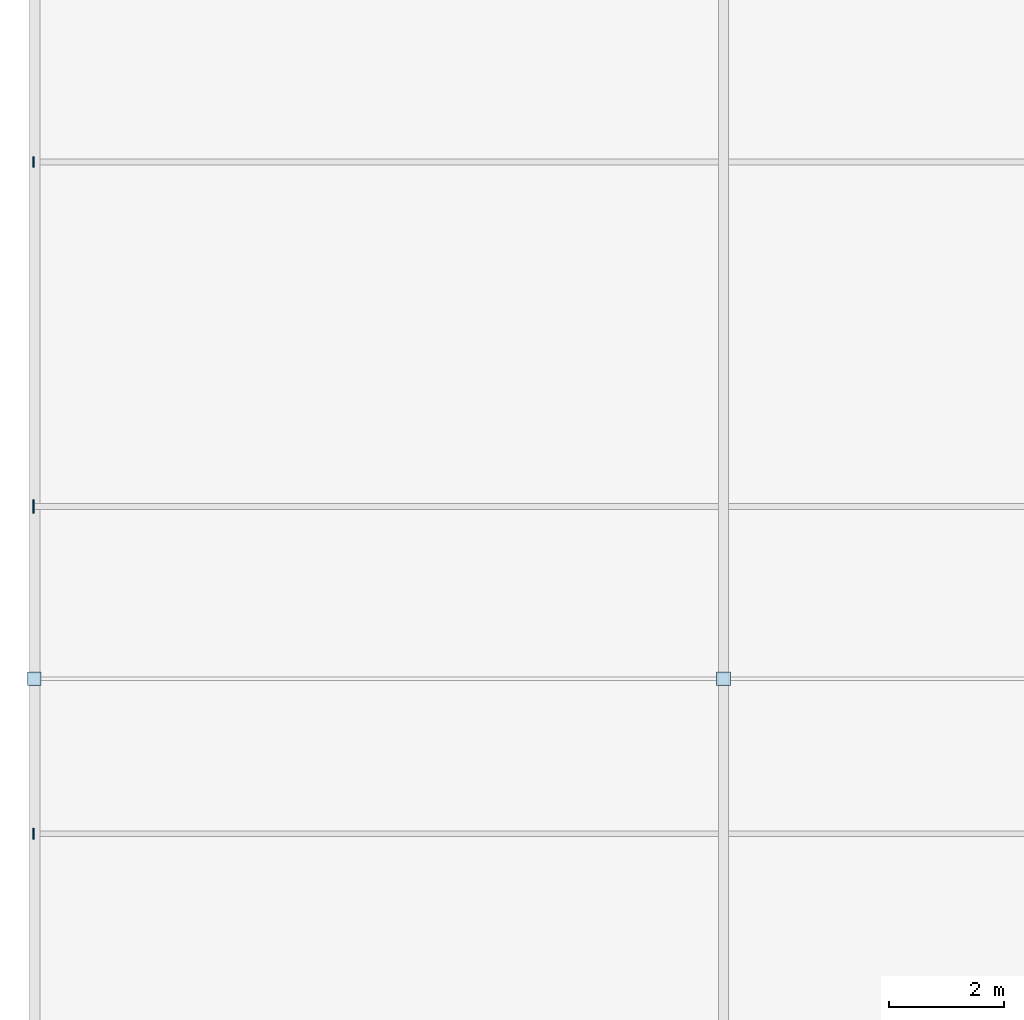
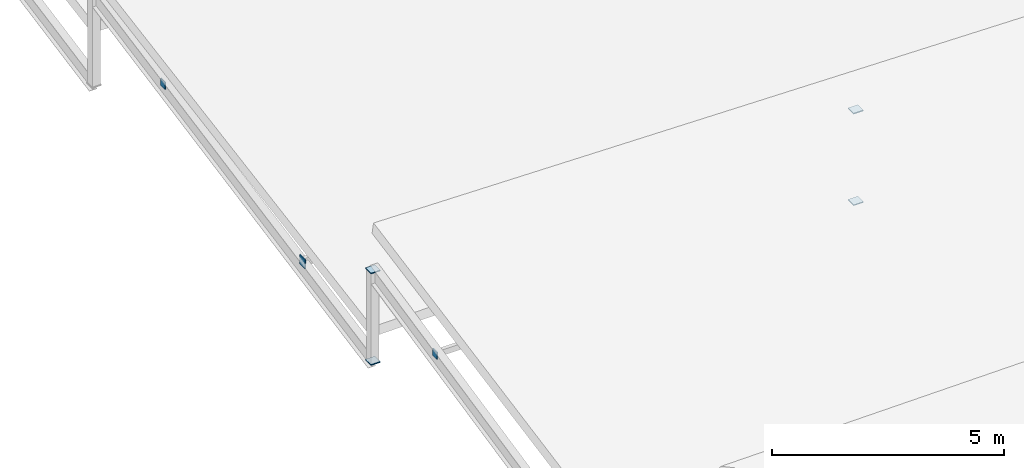
# One storey, part 155 of 226: 7 plates.
"""IFC4 building model written with IfcOpenShell, lengths in metres."""

import ifcopenshell
import ifcopenshell.guid

model = None  # the IFC model being written
_history = None  # IfcOwnerHistory: only IFC2X3 demands one
_inside = {}  # id of a spatial element -> (the spatial element, [elements in it])
_under = {}  # id of a project, library or spatial element -> (it, [spatial elements below it])
_declared = {}  # id of a project -> (the project, [libraries it declares])
_typed = {}  # id of a type object -> (the type object, [elements of that type])
_made_of = {}  # id of a material, layer set ... -> (it, [elements and type objects made of it])


def new_model(schema):
    """Start an empty IFC model of exactly this schema.

    Asked for "IFC4X3", IfcOpenShell would pick the latest addendum, in which some entities
    have other attributes; the version numbers below select the first issue.
    IFC2X3 requires an IfcOwnerHistory on every rooted entity: one is made here for all.
    """
    global model, _history
    if schema == "IFC4X3":
        model = ifcopenshell.file(schema_version=(4, 3, 0, 0))
    else:
        model = ifcopenshell.file(schema=schema)
    _inside.clear()
    _under.clear()
    _declared.clear()
    _typed.clear()
    _made_of.clear()
    _history = None
    if model.schema == "IFC2X3":
        org = make("IfcOrganization", Name="unknown")
        user = make(
            "IfcPersonAndOrganization",
            ThePerson=make("IfcPerson", FamilyName="unknown"),
            TheOrganization=org,
        )
        app = make(
            "IfcApplication",
            ApplicationDeveloper=org,
            Version="unknown",
            ApplicationFullName="unknown",
            ApplicationIdentifier="unknown",
        )
        _history = make(
            "IfcOwnerHistory",
            OwningUser=user,
            OwningApplication=app,
            ChangeAction="ADDED",
            CreationDate=0,
        )
    return model


def make(cls, **values):
    """One entity of the class cls with the attributes given. An attribute that is None is left unset."""
    return model.create_entity(
        cls, **{name: value for name, value in values.items() if value is not None}
    )


def rooted(cls, **values):
    """An entity with a GlobalId (a new one), such as an element, a storey or a relation."""
    return make(cls, GlobalId=ifcopenshell.guid.new(), OwnerHistory=_history, **values)


def si_unit(unit_type, name, prefix=None):
    """IfcSIUnit, for example si_unit("LENGTHUNIT", "METRE", prefix="MILLI")."""
    return make("IfcSIUnit", UnitType=unit_type, Prefix=prefix, Name=name)


def assignment(units):
    """IfcUnitAssignment: the units of a project."""
    return None if units is None else make("IfcUnitAssignment", Units=units)


def point(xyz):
    """IfcCartesianPoint."""
    return None if xyz is None else make("IfcCartesianPoint", Coordinates=xyz)


def direction(xyz):
    """IfcDirection."""
    return None if xyz is None else make("IfcDirection", DirectionRatios=xyz)


def frame(location, z_axis=None, x_axis=None):
    """IfcAxis2Placement3D, a coordinate frame: its origin and axes. An axis left out is left unset."""
    return make(
        "IfcAxis2Placement3D",
        Location=point(location),
        Axis=direction(z_axis),
        RefDirection=direction(x_axis),
    )


def frame_2d(location, x_axis=None):
    """IfcAxis2Placement2D, a coordinate frame in the plane: its origin and x axis."""
    return make(
        "IfcAxis2Placement2D", Location=point(location), RefDirection=direction(x_axis)
    )


def origin():
    """The frame at (0, 0, 0) with its axes left unset."""
    return frame((0.0, 0.0, 0.0))


def origin_2d():
    """The frame at (0, 0) in the plane with its x axis left unset."""
    return frame_2d((0.0, 0.0))


def place(relative_to, where):
    """IfcLocalPlacement: puts the frame where relative to a parent placement (None: the world)."""
    return make(
        "IfcLocalPlacement", PlacementRelTo=relative_to, RelativePlacement=where
    )


def context(
    kind, dimensions, precision=None, world=None, true_north=None, identifier=None
):
    """IfcGeometricRepresentationContext, for example the 3D "Model" context."""
    return make(
        "IfcGeometricRepresentationContext",
        ContextIdentifier=identifier,
        ContextType=kind,
        CoordinateSpaceDimension=dimensions,
        Precision=precision,
        WorldCoordinateSystem=world,
        TrueNorth=true_north,
    )


def subcontext(parent, identifier, kind, view, scale=None):
    """IfcGeometricRepresentationSubContext, for example "Body" below "Model"."""
    return make(
        "IfcGeometricRepresentationSubContext",
        ContextIdentifier=identifier,
        ContextType=kind,
        ParentContext=parent,
        TargetScale=scale,
        TargetView=view,
    )


def project(units=None, contexts=None):
    """IfcProject with its units and contexts."""
    return rooted(
        "IfcProject",
        Name="project",
        RepresentationContexts=contexts,
        UnitsInContext=assignment(units),
    )


def spatial(cls, under=None, at=None, **own):
    """A site, building, storey or space (cls), placed at a placement, below another one or the project."""
    s = rooted(cls, ObjectPlacement=at, **own)
    if under is not None:
        _under.setdefault(under.id(), (under, []))[1].append(s)
    return s


def profile(cls, at=None, kind="AREA", **sizes):
    """A parametric profile (cls). Its sizes go by their IFC names, for example OverallWidth=200.0."""
    return make(cls, ProfileType=kind, Position=at, **sizes)


def rectangle(**sizes):
    """IfcRectangleProfileDef."""
    return profile("IfcRectangleProfileDef", **sizes)


def extrude(swept, where, along, depth):
    """IfcExtrudedAreaSolid: the profile swept, set in the frame where, extruded along a direction by depth."""
    return make(
        "IfcExtrudedAreaSolid",
        SweptArea=swept,
        Position=where,
        ExtrudedDirection=direction(along),
        Depth=depth,
    )


def shape(context_of_items, identifier, shape_type, items):
    """IfcShapeRepresentation: the items that make up one representation, for example the "Body"."""
    return make(
        "IfcShapeRepresentation",
        ContextOfItems=context_of_items,
        RepresentationIdentifier=identifier,
        RepresentationType=shape_type,
        Items=items,
    )


def material(Name=None, Category=None):
    """IfcMaterial."""
    return make("IfcMaterial", Name=Name, Category=Category)


def layer(
    of_material, thickness, ventilated=None, Name=None, Category=None, Priority=None
):
    """IfcMaterialLayer: one layer of a wall or slab, of a material (None: an air gap)."""
    return make(
        "IfcMaterialLayer",
        Material=of_material,
        LayerThickness=thickness,
        IsVentilated=ventilated,
        Name=Name,
        Category=Category,
        Priority=Priority,
    )


def layer_set(layers, Name=None):
    """IfcMaterialLayerSet."""
    return make("IfcMaterialLayerSet", MaterialLayers=layers, LayerSetName=Name)


def made_of(thing, what):
    """Note that an element or type object is made of a material, layer set ...; save() writes the relation."""
    if what is not None:
        _made_of.setdefault(what.id(), (what, []))[1].append(thing)
    return thing


def type_object(cls, material=None, **own):
    """A type object (cls), such as IfcWallType, which elements share."""
    return made_of(rooted(cls, **own), material)


def element(
    cls,
    number,
    at=None,
    inside=None,
    cuts=None,
    type_object=None,
    material=None,
    context=None,
    identifier="Body",
    shape_type=None,
    held_by="IfcProductDefinitionShape",
    body=None,
    shapes=None,
    **own,
):
    """One element of the class cls, such as IfcWall. Its Tag is "e" and its number.

    at: its placement. inside: the storey or other place that contains it. cuts: it is an
    opening in that element (IfcRelVoidsElement). A single representation is given by context,
    identifier, shape_type and body (its items); several are given by shapes. held_by: the class
    of the entity that holds the representations. save() writes the other relations.
    """
    e = rooted(cls, Tag="e%d" % number, ObjectPlacement=at, **own)
    if body is not None:
        shapes = [shape(context, identifier, shape_type, body)]
    if shapes is not None:
        e.Representation = make(held_by, Representations=shapes)
    if inside is not None:
        _inside.setdefault(inside.id(), (inside, []))[1].append(e)
    if cuts is not None:
        rooted(
            "IfcRelVoidsElement", RelatingBuildingElement=cuts, RelatedOpeningElement=e
        )
    if type_object is not None:
        _typed.setdefault(type_object.id(), (type_object, []))[1].append(e)
    return made_of(e, material)


def aggregate(whole, parts):
    """IfcRelAggregates: a whole, such as a stair, and the parts it consists of."""
    return rooted("IfcRelAggregates", RelatingObject=whole, RelatedObjects=parts)


def save(model, path):
    """Write the relations noted so far, then the file.

    IfcRelAggregates (storeys below a building ...), IfcRelContainedInSpatialStructure (elements
    in a storey), IfcRelDefinesByType, IfcRelAssociatesMaterial and IfcRelDeclares: one each for
    every whole, place, type object, material and project.
    """
    for whole, parts in _under.values():
        aggregate(whole, parts)
    for where, things in _inside.values():
        rooted(
            "IfcRelContainedInSpatialStructure",
            RelatedElements=things,
            RelatingStructure=where,
        )
    for kind, things in _typed.values():
        rooted("IfcRelDefinesByType", RelatedObjects=things, RelatingType=kind)
    for what, things in _made_of.values():
        rooted("IfcRelAssociatesMaterial", RelatedObjects=things, RelatingMaterial=what)
    for by, libraries in _declared.values():
        rooted("IfcRelDeclares", RelatingContext=by, RelatedDefinitions=libraries)
    model.write(path)


model = new_model("IFC4")

# Units and contexts
model_context = context("Model", 3, precision=1e-05, world=origin(), true_north=direction((0.0, 1.0)))
body_context = subcontext(model_context, "Body", "Model", "MODEL_VIEW")
ifc_project = project(units=[si_unit("LENGTHUNIT", "METRE"), si_unit("AREAUNIT", "SQUARE_METRE"), si_unit("VOLUMEUNIT", "CUBIC_METRE"), si_unit("PLANEANGLEUNIT", "RADIAN"), si_unit("MASSUNIT", "GRAM", prefix="KILO")], contexts=[model_context])

# Site, building, storey
site_placement = place(None, origin())
site = spatial("IfcSite", under=ifc_project, at=site_placement, CompositionType="ELEMENT")
building_placement = place(site_placement, origin())
building = spatial("IfcBuilding", under=site, at=building_placement, Name="Tarnwether General Hospital", CompositionType="ELEMENT")
storey_placement = place(building_placement, frame((0.0, 0.0, 4.800048828125)))
storey = spatial("IfcBuildingStorey", under=building, at=storey_placement, Name="L01", CompositionType="ELEMENT", Elevation=4.800048828125)

# Plates
ifc_material = material(Name="Steel Grade 350 (350 MPa)", Category="steel")
ifc_layer = layer(ifc_material, 0.02490234375)
ifc_layer_set = layer_set([ifc_layer], Name="Steel Grade 350 (350 MPa)")
plate_type = type_object("IfcPlateType", Name="PT-GUS2", PredefinedType="USERDEFINED", material=ifc_layer_set)
for number, where, z_axis, x_axis, name in (
    (1, (0.0, 21.60009765625, -0.405029296875), (0.0, 0.0, 1.0), (1.0, 0.0, 0.0), "Hollow Section Welded End Cap Plate 1407"),
    (2, (0.0, 21.60009765625, 2.0), (0.0, 0.0, 1.0), (1.0, 0.0, 0.0), "Hollow Section Welded End Cap Plate 1408"),
    (3, (12.0, 21.60009765625, -0.405029296875), (0.0, 0.0, 1.0), (1.0, 0.0, 0.0), "Hollow Section Welded End Cap Plate 1409"),
    (4, (12.0, 21.60009765625, 2.0), (0.0, 0.0, 1.0), (1.0, 0.0, 0.0), "Hollow Section Welded End Cap Plate 1410"),
):
    element("IfcPlate", number, at=place(storey_placement, frame(where, z_axis=z_axis, x_axis=x_axis)), inside=storey, type_object=plate_type, Name=name, ObjectType="GUSSET", PredefinedType="USERDEFINED", context=body_context, shape_type="SweptSolid", body=[
        extrude(rectangle(XDim=0.239990234375, YDim=0.239990234375, at=origin_2d()), origin(), (0.0, 0.0, 1.0), 0.02490234375),
    ])
plate_1_placement = place(storey_placement, frame((-0.012451171875, 18.89990234375, 1.344970703125), z_axis=(0.0, 0.0, 1.0), x_axis=(1.0, 0.0, 0.0)))
element("IfcPlate", 5, at=plate_1_placement, inside=storey, type_object=plate_type, Name="Hollow Section Welded End Cap Plate 1419", ObjectType="GUSSET", PredefinedType="USERDEFINED", context=body_context, shape_type="SweptSolid", body=[
    extrude(rectangle(XDim=0.02490234375, YDim=0.18994140625, at=origin_2d()), origin(), (0.0, 0.0, 1.0), 0.18994140625),
])
plate_2_placement = place(storey_placement, frame((-0.012451171875, 24.60009765625, 0.27978515625), z_axis=(0.0, 0.0, 1.0), x_axis=(1.0, 0.0, 0.0)))
element("IfcPlate", 6, at=plate_2_placement, inside=storey, type_object=plate_type, Name="Hollow Section Welded End Cap Plate 1431", ObjectType="GUSSET", PredefinedType="USERDEFINED", context=body_context, shape_type="SweptSolid", body=[
    extrude(rectangle(XDim=0.02490234375, YDim=0.239990234375, at=origin_2d()), origin(), (0.0, 0.0, 1.0), 0.239990234375),
])
plate_3_placement = place(storey_placement, frame((-0.012451171875, 30.60009765625, 1.344970703125), z_axis=(0.0, 0.0, 1.0), x_axis=(1.0, 0.0, 0.0)))
element("IfcPlate", 7, at=plate_3_placement, inside=storey, type_object=plate_type, Name="Hollow Section Welded End Cap Plate 1433", ObjectType="GUSSET", PredefinedType="USERDEFINED", context=body_context, shape_type="SweptSolid", body=[
    extrude(rectangle(XDim=0.02490234375, YDim=0.18994140625, at=origin_2d()), origin(), (0.0, 0.0, 1.0), 0.18994140625),
])

save(model, "model.ifc")
